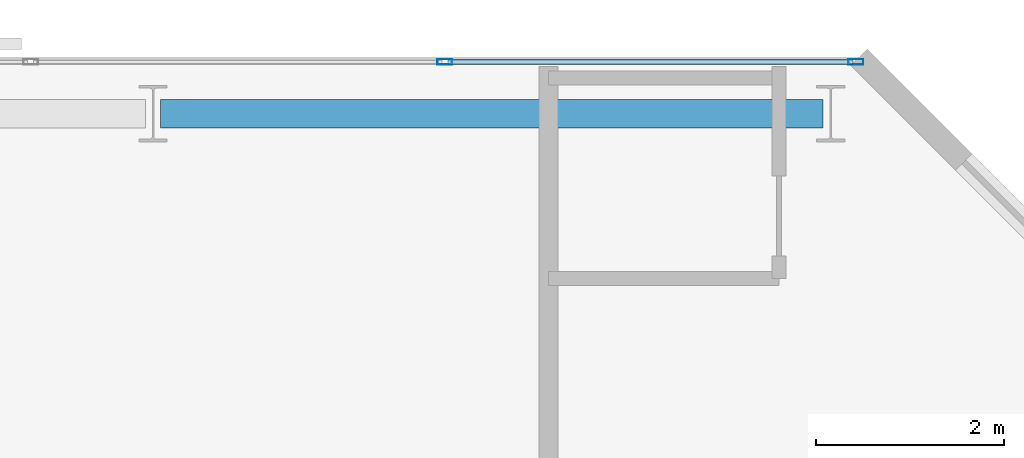
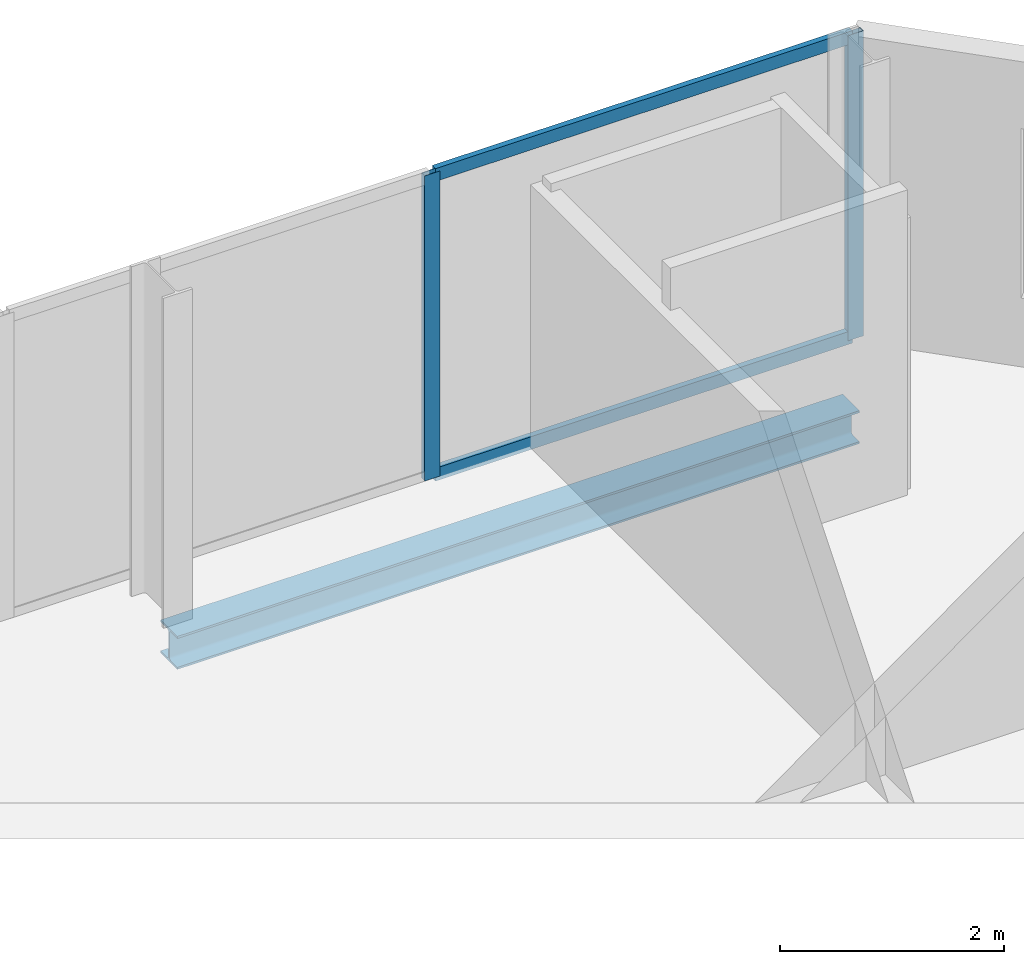
# One storey, part 25 of 32: 4 members, 1 beam, 1 element without a shape of its own.
"""IFC4 building model written with IfcOpenShell, lengths in metres."""

from ifc_helpers import new_model, si_unit, direction, frame, origin, origin_2d, place, context, subcontext, project, spatial, hollow_rectangle, i_section, extrude, material, layer, layer_set, material_profile, profile_set, type_object, element, aggregate, save


model = new_model("IFC4")

# Units and contexts
model_context = context("Model", 3, precision=1e-05, world=origin(), true_north=direction((0.0, 1.0)))
body_context = subcontext(model_context, "Body", "Model", "MODEL_VIEW")
ifc_project = project(units=[si_unit("LENGTHUNIT", "METRE"), si_unit("AREAUNIT", "SQUARE_METRE"), si_unit("VOLUMEUNIT", "CUBIC_METRE"), si_unit("PLANEANGLEUNIT", "RADIAN"), si_unit("MASSUNIT", "GRAM", prefix="KILO")], contexts=[model_context])

# Site, building, storey
site_placement = place(None, origin())
site = spatial("IfcSite", under=ifc_project, at=site_placement, CompositionType="ELEMENT")
building_placement = place(site_placement, origin())
building = spatial("IfcBuilding", under=site, at=building_placement, Name="Catumbela Crestline Tower", CompositionType="ELEMENT")
storey_placement = place(building_placement, frame((0.0, 0.0, 122.4)))
storey = spatial("IfcBuildingStorey", under=building, at=storey_placement, Name="L31", CompositionType="ELEMENT", Elevation=122.4)

# Curtain wall, members
ifc_material_1 = material(Name="Aluminium alloy AW-6060-T66", Category="aluminium")
ifc_layer = layer(ifc_material_1, 0.18, Name="Aluminium alloy AW-6060-T66")
ifc_layer_set = layer_set([ifc_layer], Name="Aluminium alloy AW-6060-T66")
curtain_wall_type = type_object("IfcCurtainWallType", Name="CWU-Z2", PredefinedType="USERDEFINED", material=ifc_layer_set)
curtain_wall_placement = place(storey_placement, origin())
curtain_wall = element("IfcCurtainWall", 1, at=curtain_wall_placement, inside=storey, type_object=curtain_wall_type, Name="L31 Unitised Curtain Wall CW-L31-E7S1", ObjectType="UNITISED", PredefinedType="USERDEFINED")
ifc_material_profile_1 = material_profile(ifc_material_1, hollow_rectangle(XDim=0.06, YDim=0.16, WallThickness=0.004, at=origin_2d()), Name="ALU 160x60x4")
ifc_profile_set_1 = profile_set([ifc_material_profile_1], Name="Aluminium alloy AW-6060-T66")
member_type_1 = type_object("IfcMemberType", Name="MUL-160X60", PredefinedType="MULLION", material=ifc_profile_set_1)
member_1_placement = place(storey_placement, frame((47.4675, 47.95, 0.0), z_axis=(0.0, 0.0, 1.0), x_axis=(0.0, -1.0, 0.0)))
member_1 = element("IfcMember", 2, at=member_1_placement, type_object=member_type_1, Name="CWU-Z2 mullion 1", PredefinedType="MULLION", context=body_context, shape_type="SweptSolid", body=[
    extrude(hollow_rectangle(XDim=0.06, YDim=0.16, WallThickness=0.004, at=origin_2d()), origin(), (0.0, 0.0, 1.0), 3.33),
])
member_2_placement = place(storey_placement, frame((43.1, 47.95, 0.0), z_axis=(0.0, 0.0, 1.0), x_axis=(0.0, -1.0, 0.0)))
member_2 = element("IfcMember", 3, at=member_2_placement, type_object=member_type_1, Name="CWU-Z2 mullion 2", PredefinedType="MULLION", context=body_context, shape_type="SweptSolid", body=[
    extrude(hollow_rectangle(XDim=0.06, YDim=0.16, WallThickness=0.004, at=origin_2d()), origin(), (0.0, 0.0, 1.0), 3.33),
])

# Beam
ifc_material_2 = material(Name="Structural steel S355J2", Category="steel")
ifc_material_profile_2 = material_profile(ifc_material_2, i_section(OverallWidth=0.3, OverallDepth=0.36, WebThickness=0.0125, FlangeThickness=0.0225, FilletRadius=0.027, at=origin_2d()), Name="HEB 360")
ifc_profile_set_2 = profile_set([ifc_material_profile_2], Name="Structural steel S355J2")
beam_type = type_object("IfcBeamType", Name="BS-HEB360", PredefinedType="SPANDREL", material=ifc_profile_set_2)
beam_placement = place(storey_placement, frame((40.08, 47.4, -0.44), z_axis=(1.0, 0.0, 0.0), x_axis=(0.0, 1.0, 0.0)))
element("IfcBeam", 4, at=beam_placement, inside=storey, type_object=beam_type, Name="L31 Spandrel SP-L31-NF21", PredefinedType="SPANDREL", context=body_context, shape_type="SweptSolid", body=[
    extrude(i_section(OverallWidth=0.3, OverallDepth=0.36, WebThickness=0.0125, FlangeThickness=0.0225, FilletRadius=0.027, at=origin_2d()), origin(), (0.0, 0.0, 1.0), 7.04),
])

# Member
ifc_material_profile_3 = material_profile(ifc_material_1, hollow_rectangle(XDim=0.06, YDim=0.14, WallThickness=0.004, at=origin_2d()), Name="ALU 140x60x4")
ifc_profile_set_3 = profile_set([ifc_material_profile_3], Name="Aluminium alloy AW-6060-T66")
member_type_2 = type_object("IfcMemberType", Name="TRN-140X60", PredefinedType="USERDEFINED", material=ifc_profile_set_3)
member_3_placement = place(storey_placement, frame((47.435, 47.95, 0.03), z_axis=(-1.0, 0.0, 0.0), x_axis=(0.0, -1.0, 0.0)))
member_3 = element("IfcMember", 5, at=member_3_placement, type_object=member_type_2, Name="CWU-Z2 transom 1.1", ObjectType="TRANSOM", PredefinedType="USERDEFINED", context=body_context, shape_type="SweptSolid", body=[
    extrude(hollow_rectangle(XDim=0.06, YDim=0.14, WallThickness=0.004, at=origin_2d()), origin(), (0.0, 0.0, 1.0), 4.3025),
])

member_4_placement = place(storey_placement, frame((47.435, 47.95, 3.3), z_axis=(-1.0, 0.0, 0.0), x_axis=(0.0, -1.0, 0.0)))
member_4 = element("IfcMember", 6, at=member_4_placement, type_object=member_type_2, Name="CWU-Z2 transom 1.2", ObjectType="TRANSOM", PredefinedType="USERDEFINED", context=body_context, shape_type="SweptSolid", body=[
    extrude(hollow_rectangle(XDim=0.06, YDim=0.14, WallThickness=0.004, at=origin_2d()), origin(), (0.0, 0.0, 1.0), 4.3025),
])

aggregate(curtain_wall, [member_1, member_2, member_3, member_4])

save(model, "model.ifc")
